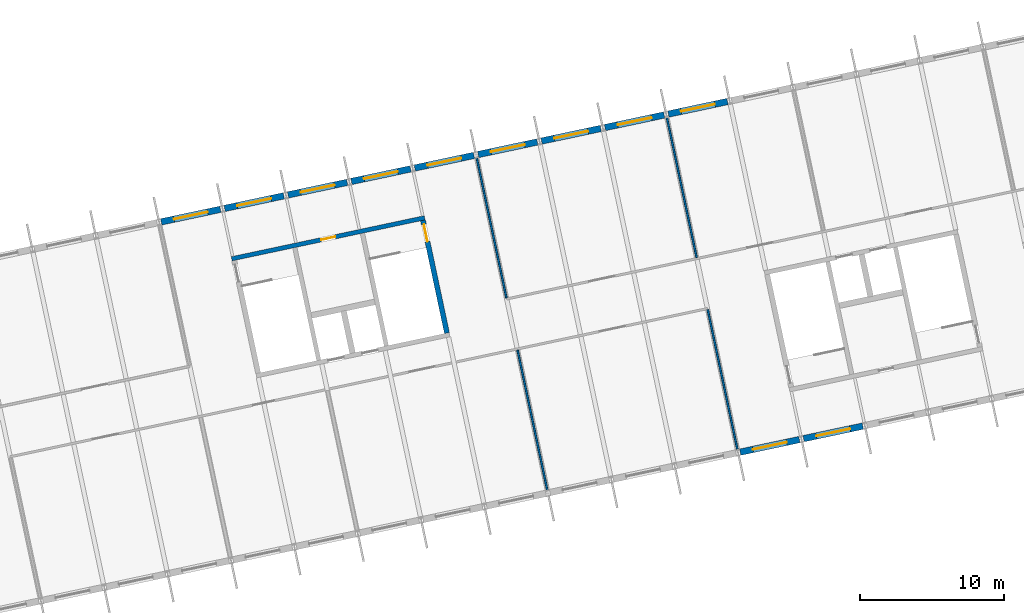
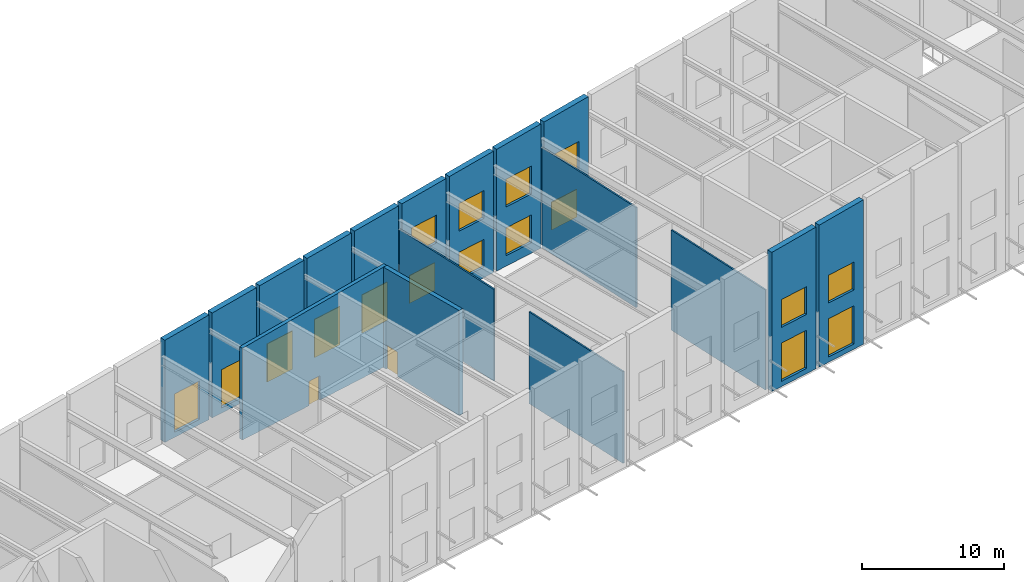
# One storey, part 43 of 69: 17 walls, 17 windows, 2 doors, 19 openings.
"""IFC4 building model written with IfcOpenShell, lengths in metres."""

from ifc_helpers import new_model, si_unit, direction, frame, frame_2d, origin, place, context, subcontext, project, spatial, polyline, rectangle, outline, extrude, material, layer, layer_set, type_object, element, fill, save


model = new_model("IFC4")

# Units and contexts
model_context = context("Model", 3, precision=1e-05, world=origin(), true_north=direction((0.0, 1.0)))
body_context = subcontext(model_context, "Body", "Model", "MODEL_VIEW")
ifc_project = project(units=[si_unit("LENGTHUNIT", "METRE"), si_unit("AREAUNIT", "SQUARE_METRE"), si_unit("VOLUMEUNIT", "CUBIC_METRE"), si_unit("PLANEANGLEUNIT", "RADIAN"), si_unit("MASSUNIT", "GRAM", prefix="KILO")], contexts=[model_context])

# Site, building, storey
site_placement = place(None, origin())
site = spatial("IfcSite", under=ifc_project, at=site_placement, CompositionType="ELEMENT")
building_placement = place(site_placement, origin())
building = spatial("IfcBuilding", under=site, at=building_placement, Name="Okhra Congress Centre", CompositionType="ELEMENT")
storey_placement = place(building_placement, frame((0.0, 0.0, 16.800048828125)))
storey = spatial("IfcBuildingStorey", under=building, at=storey_placement, Name="L03", CompositionType="ELEMENT", Elevation=16.800048828125)

# Wall, openings, windows
ifc_material_1 = material(Name="Insulated metal panel on steel stud (mineral wool, vapour barrier)", Category="steel")
ifc_layer_1 = layer(ifc_material_1, 0.449951171875)
ifc_layer_set_1 = layer_set([ifc_layer_1], Name="Insulated wall 450")
wall_type_1 = type_object("IfcWallType", Name="Insulated wall 450", PredefinedType="SOLIDWALL", material=ifc_layer_set_1)
wall_1_placement = place(storey_placement, frame((131.584228515625, 41.81005859375, 0.0), z_axis=(0.0, 0.0, 1.0), x_axis=(0.978146440129, 0.207917150959, 0.0)))
wall_1 = element("IfcWall", 1, at=wall_1_placement, inside=storey, type_object=wall_type_1, Name="External wall S17 L03", PredefinedType="SOLIDWALL", context=body_context, shape_type="SweptSolid", body=[
    extrude(outline(polyline([(0.0, 0.0), (4.2001953125, 0.0), (4.199951171875, 12.205078125), (0.0, 11.980224609375), (0.0, 0.0)])), frame((0.0, 0.22509765625, 0.0), z_axis=(0.0, -1.0, 0.0), x_axis=(1.0, 0.0, 0.0)), (0.0, 0.0, 1.0), 0.449951171875),
])
opening_1_placement = place(wall_1_placement, frame((0.89990234375, 0.0, 0.449951171875)))
opening_1 = element("IfcOpeningElement", 2, at=opening_1_placement, cuts=wall_1, Name="Opening WN21", PredefinedType="OPENING", context=body_context, shape_type="SweptSolid", body=[
    extrude(rectangle(XDim=2.39990234375, YDim=3.300048828125, at=frame_2d((1.199951171875, 1.64990234375))), frame((0.0, 0.23486328125, 0.0), z_axis=(0.0, -1.0, 0.0), x_axis=(1.0, 0.0, 0.0)), (0.0, 0.0, 1.0), 0.469970703125),
])
opening_2_placement = place(wall_1_placement, frame((0.89990234375, 0.0, 5.10009765625)))
opening_2 = element("IfcOpeningElement", 3, at=opening_2_placement, cuts=wall_1, Name="Opening WN22", PredefinedType="OPENING", context=body_context, shape_type="SweptSolid", body=[
    extrude(rectangle(XDim=2.39990234375, YDim=2.39990234375, at=frame_2d((1.199951171875, 1.199951171875))), frame((0.0, 0.23486328125, 0.0), z_axis=(0.0, -1.0, 0.0), x_axis=(1.0, 0.0, 0.0)), (0.0, 0.0, 1.0), 0.469970703125),
])
ifc_material_2 = material(Name="Thermally broken aluminium frame, triple glazing", Category="aluminium")
window_type_1 = type_object("IfcWindowType", Name="Fixed window 2400x2400", PartitioningType="SINGLE_PANEL", PredefinedType="WINDOW", material=ifc_material_2)
window_1_placement = place(opening_2_placement, origin())
window_1 = element("IfcWindow", 4, at=window_1_placement, inside=storey, type_object=window_type_1, Name="BX.WIN.L03.26", OverallHeight=2.39990234375, OverallWidth=2.39990234375, PartitioningType="SINGLE_PANEL", PredefinedType="WINDOW", context=body_context, shape_type="SweptSolid", body=[
    extrude(rectangle(XDim=2.39990234375, YDim=2.39990234375, at=frame_2d((1.199951171875, 1.199951171875))), frame((0.0, 0.030029296875, 0.0), z_axis=(0.0, -1.0, 0.0), x_axis=(1.0, 0.0, 0.0)), (0.0, 0.0, 1.0), 0.06005859375),
])
fill(opening_2, window_1)
window_type_2 = type_object("IfcWindowType", Name="Two-light window 2400x3300", PartitioningType="DOUBLE_PANEL_VERTICAL", PredefinedType="WINDOW", material=ifc_material_2)
window_2_placement = place(opening_1_placement, origin())
window_2 = element("IfcWindow", 5, at=window_2_placement, inside=storey, type_object=window_type_2, Name="BX.WIN.L03.25", OverallHeight=3.300048828125, OverallWidth=2.39990234375, PartitioningType="DOUBLE_PANEL_VERTICAL", PredefinedType="WINDOW", context=body_context, shape_type="SweptSolid", body=[
    extrude(rectangle(XDim=2.39990234375, YDim=3.300048828125, at=frame_2d((1.199951171875, 1.64990234375))), frame((0.0, 0.030029296875, 0.0), z_axis=(0.0, -1.0, 0.0), x_axis=(1.0, 0.0, 0.0)), (0.0, 0.0, 1.0), 0.06005859375),
])
fill(opening_1, window_2)

wall_2_placement = place(storey_placement, frame((135.986083984375, 42.74560546875, 0.0), z_axis=(0.0, 0.0, 1.0), x_axis=(0.978143927149, 0.207928972925, 0.0)))
wall_2 = element("IfcWall", 6, at=wall_2_placement, inside=storey, type_object=wall_type_1, Name="External wall S18 L03", PredefinedType="SOLIDWALL", context=body_context, shape_type="SweptSolid", body=[
    extrude(outline(polyline([(0.0, 0.0), (4.199951171875, 0.0), (4.199951171875, 12.44580078125), (0.0, 12.22119140625), (0.0, 0.0)])), frame((0.0, 0.22509765625, 0.0), z_axis=(0.0, -1.0, 0.0), x_axis=(1.0, 0.0, 0.0)), (0.0, 0.0, 1.0), 0.449951171875),
])
opening_3_placement = place(wall_2_placement, frame((0.89990234375, 0.0, 0.449951171875)))
opening_3 = element("IfcOpeningElement", 7, at=opening_3_placement, cuts=wall_2, Name="Opening WN21", PredefinedType="OPENING", context=body_context, shape_type="SweptSolid", body=[
    extrude(rectangle(XDim=2.39990234375, YDim=3.300048828125, at=frame_2d((1.199951171875, 1.64990234375))), frame((0.0, 0.23486328125, 0.0), z_axis=(0.0, -1.0, 0.0), x_axis=(1.0, 0.0, 0.0)), (0.0, 0.0, 1.0), 0.469970703125),
])
opening_4_placement = place(wall_2_placement, frame((0.89990234375, 0.0, 5.10009765625)))
opening_4 = element("IfcOpeningElement", 8, at=opening_4_placement, cuts=wall_2, Name="Opening WN22", PredefinedType="OPENING", context=body_context, shape_type="SweptSolid", body=[
    extrude(rectangle(XDim=2.39990234375, YDim=2.39990234375, at=frame_2d((1.199951171875, 1.199951171875))), frame((0.0, 0.23486328125, 0.0), z_axis=(0.0, -1.0, 0.0), x_axis=(1.0, 0.0, 0.0)), (0.0, 0.0, 1.0), 0.469970703125),
])
window_3_placement = place(opening_4_placement, origin())
window_3 = element("IfcWindow", 9, at=window_3_placement, inside=storey, type_object=window_type_1, Name="BX.WIN.L03.28", OverallHeight=2.39990234375, OverallWidth=2.39990234375, PartitioningType="SINGLE_PANEL", PredefinedType="WINDOW", context=body_context, shape_type="SweptSolid", body=[
    extrude(rectangle(XDim=2.39990234375, YDim=2.39990234375, at=frame_2d((1.199951171875, 1.199951171875))), frame((0.0, 0.030029296875, 0.0), z_axis=(0.0, -1.0, 0.0), x_axis=(1.0, 0.0, 0.0)), (0.0, 0.0, 1.0), 0.06005859375),
])
fill(opening_4, window_3)
window_4_placement = place(opening_3_placement, origin())
window_4 = element("IfcWindow", 10, at=window_4_placement, inside=storey, type_object=window_type_2, Name="BX.WIN.L03.27", OverallHeight=3.300048828125, OverallWidth=2.39990234375, PartitioningType="DOUBLE_PANEL_VERTICAL", PredefinedType="WINDOW", context=body_context, shape_type="SweptSolid", body=[
    extrude(rectangle(XDim=2.39990234375, YDim=3.300048828125, at=frame_2d((1.199951171875, 1.64990234375))), frame((0.0, 0.030029296875, 0.0), z_axis=(0.0, -1.0, 0.0), x_axis=(1.0, 0.0, 0.0)), (0.0, 0.0, 1.0), 0.06005859375),
])
fill(opening_3, window_4)

# Wall, opening, window
wall_3_placement = place(storey_placement, frame((91.381103515625, 57.80078125, 0.0), z_axis=(0.0, 0.0, 1.0), x_axis=(0.978143927149, 0.207928972925, 0.0)))
wall_3 = element("IfcWall", 11, at=wall_3_placement, inside=storey, type_object=wall_type_1, Name="External wall N9 L03", PredefinedType="SOLIDWALL", context=body_context, shape_type="SweptSolid", body=[
    extrude(outline(polyline([(0.0, 0.0), (4.199951171875, 0.0), (4.199951171875, 9.02099609375), (0.0, 8.79638671875), (0.0, 0.0)])), frame((0.0, 0.22509765625, 0.0), z_axis=(0.0, -1.0, 0.0), x_axis=(1.0, 0.0, 0.0)), (0.0, 0.0, 1.0), 0.449951171875),
])
opening_5_placement = place(wall_3_placement, frame((0.89990234375, 0.0, 0.449951171875)))
opening_5 = element("IfcOpeningElement", 12, at=opening_5_placement, cuts=wall_3, Name="Opening WN21", PredefinedType="OPENING", context=body_context, shape_type="SweptSolid", body=[
    extrude(rectangle(XDim=2.39990234375, YDim=3.300048828125, at=frame_2d((1.199951171875, 1.64990234375))), frame((0.0, 0.23486328125, 0.0), z_axis=(0.0, -1.0, 0.0), x_axis=(1.0, 0.0, 0.0)), (0.0, 0.0, 1.0), 0.469970703125),
])
window_5_placement = place(opening_5_placement, origin())
window_5 = element("IfcWindow", 13, at=window_5_placement, inside=storey, type_object=window_type_2, Name="BX.WIN.L03.84", OverallHeight=3.300048828125, OverallWidth=2.39990234375, PartitioningType="DOUBLE_PANEL_VERTICAL", PredefinedType="WINDOW", context=body_context, shape_type="SweptSolid", body=[
    extrude(rectangle(XDim=2.39990234375, YDim=3.300048828125, at=frame_2d((1.199951171875, 1.64990234375))), frame((0.0, 0.030029296875, 0.0), z_axis=(0.0, -1.0, 0.0), x_axis=(1.0, 0.0, 0.0)), (0.0, 0.0, 1.0), 0.06005859375),
])
fill(opening_5, window_5)

wall_4_placement = place(storey_placement, frame((95.78271484375, 58.736328125, 0.0), z_axis=(0.0, 0.0, 1.0), x_axis=(0.978146440129, 0.207917150959, 0.0)))
wall_4 = element("IfcWall", 14, at=wall_4_placement, inside=storey, type_object=wall_type_1, Name="External wall N10 L03", PredefinedType="SOLIDWALL", context=body_context, shape_type="SweptSolid", body=[
    extrude(outline(polyline([(0.0, 0.0), (4.2001953125, 0.0), (4.199951171875, 9.261962890625), (0.0, 9.037109375), (0.0, 0.0)])), frame((0.0, 0.22509765625, 0.0), z_axis=(0.0, -1.0, 0.0), x_axis=(1.0, 0.0, 0.0)), (0.0, 0.0, 1.0), 0.449951171875),
])
opening_6_placement = place(wall_4_placement, frame((0.89990234375, 0.0, 0.449951171875)))
opening_6 = element("IfcOpeningElement", 15, at=opening_6_placement, cuts=wall_4, Name="Opening WN21", PredefinedType="OPENING", context=body_context, shape_type="SweptSolid", body=[
    extrude(rectangle(XDim=2.39990234375, YDim=3.300048828125, at=frame_2d((1.199951171875, 1.64990234375))), frame((0.0, 0.23486328125, 0.0), z_axis=(0.0, -1.0, 0.0), x_axis=(1.0, 0.0, 0.0)), (0.0, 0.0, 1.0), 0.469970703125),
])
window_6_placement = place(opening_6_placement, origin())
window_6 = element("IfcWindow", 16, at=window_6_placement, inside=storey, type_object=window_type_2, Name="BX.WIN.L03.85", OverallHeight=3.300048828125, OverallWidth=2.39990234375, PartitioningType="DOUBLE_PANEL_VERTICAL", PredefinedType="WINDOW", context=body_context, shape_type="SweptSolid", body=[
    extrude(rectangle(XDim=2.39990234375, YDim=3.300048828125, at=frame_2d((1.199951171875, 1.64990234375))), frame((0.0, 0.030029296875, 0.0), z_axis=(0.0, -1.0, 0.0), x_axis=(1.0, 0.0, 0.0)), (0.0, 0.0, 1.0), 0.06005859375),
])
fill(opening_6, window_6)

wall_5_placement = place(storey_placement, frame((100.1845703125, 59.671875, 0.0), z_axis=(0.0, 0.0, 1.0), x_axis=(0.978143927149, 0.207928972925, 0.0)))
wall_5 = element("IfcWall", 17, at=wall_5_placement, inside=storey, type_object=wall_type_1, Name="External wall N11 L03", PredefinedType="SOLIDWALL", context=body_context, shape_type="SweptSolid", body=[
    extrude(outline(polyline([(0.0, 0.0), (4.199951171875, 0.0), (4.199951171875, 9.502685546875), (0.0, 9.27783203125), (0.0, 0.0)])), frame((0.0, 0.22509765625, 0.0), z_axis=(0.0, -1.0, 0.0), x_axis=(1.0, 0.0, 0.0)), (0.0, 0.0, 1.0), 0.449951171875),
])
opening_7_placement = place(wall_5_placement, frame((0.89990234375, 0.0, 0.449951171875)))
opening_7 = element("IfcOpeningElement", 18, at=opening_7_placement, cuts=wall_5, Name="Opening WN21", PredefinedType="OPENING", context=body_context, shape_type="SweptSolid", body=[
    extrude(rectangle(XDim=2.39990234375, YDim=3.300048828125, at=frame_2d((1.199951171875, 1.64990234375))), frame((0.0, 0.23486328125, 0.0), z_axis=(0.0, -1.0, 0.0), x_axis=(1.0, 0.0, 0.0)), (0.0, 0.0, 1.0), 0.469970703125),
])
window_7_placement = place(opening_7_placement, origin())
window_7 = element("IfcWindow", 19, at=window_7_placement, inside=storey, type_object=window_type_2, Name="BX.WIN.L03.86", OverallHeight=3.300048828125, OverallWidth=2.39990234375, PartitioningType="DOUBLE_PANEL_VERTICAL", PredefinedType="WINDOW", context=body_context, shape_type="SweptSolid", body=[
    extrude(rectangle(XDim=2.39990234375, YDim=3.300048828125, at=frame_2d((1.199951171875, 1.64990234375))), frame((0.0, 0.030029296875, 0.0), z_axis=(0.0, -1.0, 0.0), x_axis=(1.0, 0.0, 0.0)), (0.0, 0.0, 1.0), 0.06005859375),
])
fill(opening_7, window_7)

wall_6_placement = place(storey_placement, frame((104.586181640625, 60.607666015625, 0.0), z_axis=(0.0, 0.0, 1.0), x_axis=(0.978155748334, 0.207873355681, 0.0)))
wall_6 = element("IfcWall", 20, at=wall_6_placement, inside=storey, type_object=wall_type_1, Name="External wall N12 L03", PredefinedType="SOLIDWALL", context=body_context, shape_type="SweptSolid", body=[
    extrude(outline(polyline([(0.0, 0.0), (4.199951171875, 0.0), (4.199951171875, 9.743408203125), (0.0, 9.518798828125), (0.0, 0.0)])), frame((0.0, 0.22509765625, 0.0), z_axis=(0.0, -1.0, 0.0), x_axis=(1.0, 0.0, 0.0)), (0.0, 0.0, 1.0), 0.449951171875),
])
opening_8_placement = place(wall_6_placement, frame((0.89990234375, 0.0, 0.449951171875)))
opening_8 = element("IfcOpeningElement", 21, at=opening_8_placement, cuts=wall_6, Name="Opening WN21", PredefinedType="OPENING", context=body_context, shape_type="SweptSolid", body=[
    extrude(rectangle(XDim=2.39990234375, YDim=3.300048828125, at=frame_2d((1.199951171875, 1.64990234375))), frame((0.0, 0.23486328125, 0.0), z_axis=(0.0, -1.0, 0.0), x_axis=(1.0, 0.0, 0.0)), (0.0, 0.0, 1.0), 0.469970703125),
])
window_8_placement = place(opening_8_placement, origin())
window_8 = element("IfcWindow", 22, at=window_8_placement, inside=storey, type_object=window_type_2, Name="BX.WIN.L03.87", OverallHeight=3.300048828125, OverallWidth=2.39990234375, PartitioningType="DOUBLE_PANEL_VERTICAL", PredefinedType="WINDOW", context=body_context, shape_type="SweptSolid", body=[
    extrude(rectangle(XDim=2.39990234375, YDim=3.300048828125, at=frame_2d((1.199951171875, 1.64990234375))), frame((0.0, 0.030029296875, 0.0), z_axis=(0.0, -1.0, 0.0), x_axis=(1.0, 0.0, 0.0)), (0.0, 0.0, 1.0), 0.06005859375),
])
fill(opening_8, window_8)

wall_7_placement = place(storey_placement, frame((108.98779296875, 61.543212890625, 0.0), z_axis=(0.0, 0.0, 1.0), x_axis=(0.978143927149, 0.207928972925, 0.0)))
wall_7 = element("IfcWall", 23, at=wall_7_placement, inside=storey, type_object=wall_type_1, Name="External wall N13 L03", PredefinedType="SOLIDWALL", context=body_context, shape_type="SweptSolid", body=[
    extrude(outline(polyline([(0.0, 0.0), (4.199951171875, 0.0), (4.199951171875, 9.984130859375), (0.0, 9.759521484375), (0.0, 0.0)])), frame((0.0, 0.22509765625, 0.0), z_axis=(0.0, -1.0, 0.0), x_axis=(1.0, 0.0, 0.0)), (0.0, 0.0, 1.0), 0.449951171875),
])
opening_9_placement = place(wall_7_placement, frame((0.89990234375, 0.0, 0.449951171875)))
opening_9 = element("IfcOpeningElement", 24, at=opening_9_placement, cuts=wall_7, Name="Opening WN21", PredefinedType="OPENING", context=body_context, shape_type="SweptSolid", body=[
    extrude(rectangle(XDim=2.39990234375, YDim=3.300048828125, at=frame_2d((1.199951171875, 1.64990234375))), frame((0.0, 0.23486328125, 0.0), z_axis=(0.0, -1.0, 0.0), x_axis=(1.0, 0.0, 0.0)), (0.0, 0.0, 1.0), 0.469970703125),
])
window_9_placement = place(opening_9_placement, origin())
window_9 = element("IfcWindow", 25, at=window_9_placement, inside=storey, type_object=window_type_2, Name="BX.WIN.L03.88", OverallHeight=3.300048828125, OverallWidth=2.39990234375, PartitioningType="DOUBLE_PANEL_VERTICAL", PredefinedType="WINDOW", context=body_context, shape_type="SweptSolid", body=[
    extrude(rectangle(XDim=2.39990234375, YDim=3.300048828125, at=frame_2d((1.199951171875, 1.64990234375))), frame((0.0, 0.030029296875, 0.0), z_axis=(0.0, -1.0, 0.0), x_axis=(1.0, 0.0, 0.0)), (0.0, 0.0, 1.0), 0.06005859375),
])
fill(opening_9, window_9)

# Wall, openings, windows
wall_8_placement = place(storey_placement, frame((113.389404296875, 62.478759765625, 0.0), z_axis=(0.0, 0.0, 1.0), x_axis=(0.978146440129, 0.207917150959, 0.0)))
wall_8 = element("IfcWall", 26, at=wall_8_placement, inside=storey, type_object=wall_type_1, Name="External wall N14 L03", PredefinedType="SOLIDWALL", context=body_context, shape_type="SweptSolid", body=[
    extrude(outline(polyline([(0.0, 0.0), (4.2001953125, 0.0), (4.199951171875, 10.224853515625), (0.0, 10.000244140625), (0.0, 0.0)])), frame((0.0, 0.22509765625, 0.0), z_axis=(0.0, -1.0, 0.0), x_axis=(1.0, 0.0, 0.0)), (0.0, 0.0, 1.0), 0.449951171875),
])
opening_10_placement = place(wall_8_placement, frame((0.89990234375, 0.0, 0.89990234375)))
opening_10 = element("IfcOpeningElement", 27, at=opening_10_placement, cuts=wall_8, Name="Opening WN22", PredefinedType="OPENING", context=body_context, shape_type="SweptSolid", body=[
    extrude(rectangle(XDim=2.39990234375, YDim=2.39990234375, at=frame_2d((1.199951171875, 1.199951171875))), frame((0.0, 0.23486328125, 0.0), z_axis=(0.0, -1.0, 0.0), x_axis=(1.0, 0.0, 0.0)), (0.0, 0.0, 1.0), 0.469970703125),
])
opening_11_placement = place(wall_8_placement, frame((0.89990234375, 0.0, 5.10009765625)))
opening_11 = element("IfcOpeningElement", 28, at=opening_11_placement, cuts=wall_8, Name="Opening WN22", PredefinedType="OPENING", context=body_context, shape_type="SweptSolid", body=[
    extrude(rectangle(XDim=2.39990234375, YDim=2.39990234375, at=frame_2d((1.199951171875, 1.199951171875))), frame((0.0, 0.23486328125, 0.0), z_axis=(0.0, -1.0, 0.0), x_axis=(1.0, 0.0, 0.0)), (0.0, 0.0, 1.0), 0.469970703125),
])
window_10_placement = place(opening_10_placement, origin())
window_10 = element("IfcWindow", 29, at=window_10_placement, inside=storey, type_object=window_type_1, Name="BX.WIN.L03.89", OverallHeight=2.39990234375, OverallWidth=2.39990234375, PartitioningType="SINGLE_PANEL", PredefinedType="WINDOW", context=body_context, shape_type="SweptSolid", body=[
    extrude(rectangle(XDim=2.39990234375, YDim=2.39990234375, at=frame_2d((1.199951171875, 1.199951171875))), frame((0.0, 0.030029296875, 0.0), z_axis=(0.0, -1.0, 0.0), x_axis=(1.0, 0.0, 0.0)), (0.0, 0.0, 1.0), 0.06005859375),
])
fill(opening_10, window_10)
window_11_placement = place(opening_11_placement, origin())
window_11 = element("IfcWindow", 30, at=window_11_placement, inside=storey, type_object=window_type_1, Name="BX.WIN.L03.90", OverallHeight=2.39990234375, OverallWidth=2.39990234375, PartitioningType="SINGLE_PANEL", PredefinedType="WINDOW", context=body_context, shape_type="SweptSolid", body=[
    extrude(rectangle(XDim=2.39990234375, YDim=2.39990234375, at=frame_2d((1.199951171875, 1.199951171875))), frame((0.0, 0.030029296875, 0.0), z_axis=(0.0, -1.0, 0.0), x_axis=(1.0, 0.0, 0.0)), (0.0, 0.0, 1.0), 0.06005859375),
])
fill(opening_11, window_11)

wall_9_placement = place(storey_placement, frame((117.791015625, 63.414306640625, 0.0), z_axis=(0.0, 0.0, 1.0), x_axis=(0.978146440129, 0.207917150959, 0.0)))
wall_9 = element("IfcWall", 31, at=wall_9_placement, inside=storey, type_object=wall_type_1, Name="External wall N15 L03", PredefinedType="SOLIDWALL", context=body_context, shape_type="SweptSolid", body=[
    extrude(outline(polyline([(0.0, 0.0), (4.2001953125, 0.0), (4.199951171875, 10.4658203125), (0.0, 10.240966796875), (0.0, 0.0)])), frame((0.0, 0.22509765625, 0.0), z_axis=(0.0, -1.0, 0.0), x_axis=(1.0, 0.0, 0.0)), (0.0, 0.0, 1.0), 0.449951171875),
])
opening_12_placement = place(wall_9_placement, frame((0.89990234375, 0.0, 0.89990234375)))
opening_12 = element("IfcOpeningElement", 32, at=opening_12_placement, cuts=wall_9, Name="Opening WN22", PredefinedType="OPENING", context=body_context, shape_type="SweptSolid", body=[
    extrude(rectangle(XDim=2.39990234375, YDim=2.39990234375, at=frame_2d((1.199951171875, 1.199951171875))), frame((0.0, 0.23486328125, 0.0), z_axis=(0.0, -1.0, 0.0), x_axis=(1.0, 0.0, 0.0)), (0.0, 0.0, 1.0), 0.469970703125),
])
opening_13_placement = place(wall_9_placement, frame((0.89990234375, 0.0, 5.10009765625)))
opening_13 = element("IfcOpeningElement", 33, at=opening_13_placement, cuts=wall_9, Name="Opening WN22", PredefinedType="OPENING", context=body_context, shape_type="SweptSolid", body=[
    extrude(rectangle(XDim=2.39990234375, YDim=2.39990234375, at=frame_2d((1.199951171875, 1.199951171875))), frame((0.0, 0.23486328125, 0.0), z_axis=(0.0, -1.0, 0.0), x_axis=(1.0, 0.0, 0.0)), (0.0, 0.0, 1.0), 0.469970703125),
])
window_12_placement = place(opening_12_placement, origin())
window_12 = element("IfcWindow", 34, at=window_12_placement, inside=storey, type_object=window_type_1, Name="BX.WIN.L03.91", OverallHeight=2.39990234375, OverallWidth=2.39990234375, PartitioningType="SINGLE_PANEL", PredefinedType="WINDOW", context=body_context, shape_type="SweptSolid", body=[
    extrude(rectangle(XDim=2.39990234375, YDim=2.39990234375, at=frame_2d((1.199951171875, 1.199951171875))), frame((0.0, 0.030029296875, 0.0), z_axis=(0.0, -1.0, 0.0), x_axis=(1.0, 0.0, 0.0)), (0.0, 0.0, 1.0), 0.06005859375),
])
fill(opening_12, window_12)
window_13_placement = place(opening_13_placement, origin())
window_13 = element("IfcWindow", 35, at=window_13_placement, inside=storey, type_object=window_type_1, Name="BX.WIN.L03.92", OverallHeight=2.39990234375, OverallWidth=2.39990234375, PartitioningType="SINGLE_PANEL", PredefinedType="WINDOW", context=body_context, shape_type="SweptSolid", body=[
    extrude(rectangle(XDim=2.39990234375, YDim=2.39990234375, at=frame_2d((1.199951171875, 1.199951171875))), frame((0.0, 0.030029296875, 0.0), z_axis=(0.0, -1.0, 0.0), x_axis=(1.0, 0.0, 0.0)), (0.0, 0.0, 1.0), 0.06005859375),
])
fill(opening_13, window_13)

wall_10_placement = place(storey_placement, frame((122.19287109375, 64.35009765625, 0.0), z_axis=(0.0, 0.0, 1.0), x_axis=(0.978155748334, 0.207873355681, 0.0)))
wall_10 = element("IfcWall", 36, at=wall_10_placement, inside=storey, type_object=wall_type_1, Name="External wall N16 L03", PredefinedType="SOLIDWALL", context=body_context, shape_type="SweptSolid", body=[
    extrude(outline(polyline([(0.0, 0.0), (4.199951171875, 0.0), (4.199951171875, 10.70654296875), (0.0, 10.481689453125), (0.0, 0.0)])), frame((0.0, 0.22509765625, 0.0), z_axis=(0.0, -1.0, 0.0), x_axis=(1.0, 0.0, 0.0)), (0.0, 0.0, 1.0), 0.449951171875),
])
opening_14_placement = place(wall_10_placement, frame((0.89990234375, 0.0, 0.89990234375)))
opening_14 = element("IfcOpeningElement", 37, at=opening_14_placement, cuts=wall_10, Name="Opening WN22", PredefinedType="OPENING", context=body_context, shape_type="SweptSolid", body=[
    extrude(rectangle(XDim=2.39990234375, YDim=2.39990234375, at=frame_2d((1.199951171875, 1.199951171875))), frame((0.0, 0.23486328125, 0.0), z_axis=(0.0, -1.0, 0.0), x_axis=(1.0, 0.0, 0.0)), (0.0, 0.0, 1.0), 0.469970703125),
])
opening_15_placement = place(wall_10_placement, frame((0.89990234375, 0.0, 5.10009765625)))
opening_15 = element("IfcOpeningElement", 38, at=opening_15_placement, cuts=wall_10, Name="Opening WN22", PredefinedType="OPENING", context=body_context, shape_type="SweptSolid", body=[
    extrude(rectangle(XDim=2.39990234375, YDim=2.39990234375, at=frame_2d((1.199951171875, 1.199951171875))), frame((0.0, 0.23486328125, 0.0), z_axis=(0.0, -1.0, 0.0), x_axis=(1.0, 0.0, 0.0)), (0.0, 0.0, 1.0), 0.469970703125),
])
window_14_placement = place(opening_14_placement, origin())
window_14 = element("IfcWindow", 39, at=window_14_placement, inside=storey, type_object=window_type_1, Name="BX.WIN.L03.93", OverallHeight=2.39990234375, OverallWidth=2.39990234375, PartitioningType="SINGLE_PANEL", PredefinedType="WINDOW", context=body_context, shape_type="SweptSolid", body=[
    extrude(rectangle(XDim=2.39990234375, YDim=2.39990234375, at=frame_2d((1.199951171875, 1.199951171875))), frame((0.0, 0.030029296875, 0.0), z_axis=(0.0, -1.0, 0.0), x_axis=(1.0, 0.0, 0.0)), (0.0, 0.0, 1.0), 0.06005859375),
])
fill(opening_14, window_14)
window_15_placement = place(opening_15_placement, origin())
window_15 = element("IfcWindow", 40, at=window_15_placement, inside=storey, type_object=window_type_1, Name="BX.WIN.L03.94", OverallHeight=2.39990234375, OverallWidth=2.39990234375, PartitioningType="SINGLE_PANEL", PredefinedType="WINDOW", context=body_context, shape_type="SweptSolid", body=[
    extrude(rectangle(XDim=2.39990234375, YDim=2.39990234375, at=frame_2d((1.199951171875, 1.199951171875))), frame((0.0, 0.030029296875, 0.0), z_axis=(0.0, -1.0, 0.0), x_axis=(1.0, 0.0, 0.0)), (0.0, 0.0, 1.0), 0.06005859375),
])
fill(opening_15, window_15)

wall_11_placement = place(storey_placement, frame((126.594482421875, 65.28564453125, 0.0), z_axis=(0.0, 0.0, 1.0), x_axis=(0.978143927149, 0.207928972925, 0.0)))
wall_11 = element("IfcWall", 41, at=wall_11_placement, inside=storey, type_object=wall_type_1, Name="External wall N17 L03", PredefinedType="SOLIDWALL", context=body_context, shape_type="SweptSolid", body=[
    extrude(outline(polyline([(0.0, 0.0), (4.199951171875, 0.0), (4.199951171875, 10.947265625), (0.0, 10.72265625), (0.0, 0.0)])), frame((0.0, 0.22509765625, 0.0), z_axis=(0.0, -1.0, 0.0), x_axis=(1.0, 0.0, 0.0)), (0.0, 0.0, 1.0), 0.449951171875),
])
opening_16_placement = place(wall_11_placement, frame((0.89990234375, 0.0, 0.89990234375)))
opening_16 = element("IfcOpeningElement", 42, at=opening_16_placement, cuts=wall_11, Name="Opening WN22", PredefinedType="OPENING", context=body_context, shape_type="SweptSolid", body=[
    extrude(rectangle(XDim=2.39990234375, YDim=2.39990234375, at=frame_2d((1.199951171875, 1.199951171875))), frame((0.0, 0.23486328125, 0.0), z_axis=(0.0, -1.0, 0.0), x_axis=(1.0, 0.0, 0.0)), (0.0, 0.0, 1.0), 0.469970703125),
])
opening_17_placement = place(wall_11_placement, frame((0.89990234375, 0.0, 5.10009765625)))
opening_17 = element("IfcOpeningElement", 43, at=opening_17_placement, cuts=wall_11, Name="Opening WN22", PredefinedType="OPENING", context=body_context, shape_type="SweptSolid", body=[
    extrude(rectangle(XDim=2.39990234375, YDim=2.39990234375, at=frame_2d((1.199951171875, 1.199951171875))), frame((0.0, 0.23486328125, 0.0), z_axis=(0.0, -1.0, 0.0), x_axis=(1.0, 0.0, 0.0)), (0.0, 0.0, 1.0), 0.469970703125),
])
window_16_placement = place(opening_16_placement, origin())
window_16 = element("IfcWindow", 44, at=window_16_placement, inside=storey, type_object=window_type_1, Name="BX.WIN.L03.95", OverallHeight=2.39990234375, OverallWidth=2.39990234375, PartitioningType="SINGLE_PANEL", PredefinedType="WINDOW", context=body_context, shape_type="SweptSolid", body=[
    extrude(rectangle(XDim=2.39990234375, YDim=2.39990234375, at=frame_2d((1.199951171875, 1.199951171875))), frame((0.0, 0.030029296875, 0.0), z_axis=(0.0, -1.0, 0.0), x_axis=(1.0, 0.0, 0.0)), (0.0, 0.0, 1.0), 0.06005859375),
])
fill(opening_16, window_16)
window_17_placement = place(opening_17_placement, origin())
window_17 = element("IfcWindow", 45, at=window_17_placement, inside=storey, type_object=window_type_1, Name="BX.WIN.L03.96", OverallHeight=2.39990234375, OverallWidth=2.39990234375, PartitioningType="SINGLE_PANEL", PredefinedType="WINDOW", context=body_context, shape_type="SweptSolid", body=[
    extrude(rectangle(XDim=2.39990234375, YDim=2.39990234375, at=frame_2d((1.199951171875, 1.199951171875))), frame((0.0, 0.030029296875, 0.0), z_axis=(0.0, -1.0, 0.0), x_axis=(1.0, 0.0, 0.0)), (0.0, 0.0, 1.0), 0.06005859375),
])
fill(opening_17, window_17)

# Walls
ifc_material_3 = material(Name="Gypsum board on steel studs", Category="steel")
ifc_layer_2 = layer(ifc_material_3, 0.125)
ifc_layer_set_2 = layer_set([ifc_layer_2], Name="Partition 125")
wall_type_2 = type_object("IfcWallType", Name="Partition 125", PredefinedType="PARTITIONING", material=ifc_layer_set_2)
wall_12_placement = place(storey_placement, frame((118.185791015625, 39.192138671875, 0.0), z_axis=(0.0, 0.0, 1.0), x_axis=(-0.207904355568, 0.978149159861, 0.0)))
element("IfcWall", 46, at=wall_12_placement, inside=storey, type_object=wall_type_2, Name="Partition S L03", PredefinedType="PARTITIONING", context=body_context, shape_type="SweptSolid", body=[
    extrude(outline(polyline([(0.0, 0.0), (9.925048828125, 0.0), (9.925048828125, 7.899169921875), (0.0, 7.899169921875), (0.0, 0.0)])), frame((0.0, 0.0625, 0.0), z_axis=(0.0, -1.0, 0.0), x_axis=(1.0, 0.0, 0.0)), (0.0, 0.0, 1.0), 0.125),
])
wall_13_placement = place(storey_placement, frame((131.390869140625, 41.9990234375, 0.0), z_axis=(0.0, 0.0, 1.0), x_axis=(-0.20790935802, 0.978148096582, 0.0)))
element("IfcWall", 47, at=wall_13_placement, inside=storey, type_object=wall_type_2, Name="Partition S L03", PredefinedType="PARTITIONING", context=body_context, shape_type="SweptSolid", body=[
    extrude(outline(polyline([(0.0, 0.0), (9.9248046875, 0.0), (9.925048828125, 8.62158203125), (0.0, 8.62158203125), (0.0, 0.0)])), frame((0.0, 0.0625, 0.0), z_axis=(0.0, -1.0, 0.0), x_axis=(1.0, 0.0, 0.0)), (0.0, 0.0, 1.0), 0.125),
])
wall_14_placement = place(storey_placement, frame((113.28955078125, 62.2275390625, 0.0), z_axis=(0.0, 0.0, 1.0), x_axis=(0.20790935802, -0.978148096582, 0.0)))
element("IfcWall", 48, at=wall_14_placement, inside=storey, type_object=wall_type_2, Name="Partition N L03", PredefinedType="PARTITIONING", context=body_context, shape_type="SweptSolid", body=[
    extrude(outline(polyline([(0.0, 0.0), (9.9248046875, 0.0), (9.925048828125, 7.899169921875), (0.0, 7.899169921875), (0.0, 0.0)])), frame((0.0, 0.0625, 0.0), z_axis=(0.0, -1.0, 0.0), x_axis=(1.0, 0.0, 0.0)), (0.0, 0.0, 1.0), 0.125),
])
wall_15_placement = place(storey_placement, frame((126.49462890625, 65.034423828125, 0.0), z_axis=(0.0, 0.0, 1.0), x_axis=(0.207904355568, -0.978149159861, 0.0)))
element("IfcWall", 49, at=wall_15_placement, inside=storey, type_object=wall_type_2, Name="Partition N L03", PredefinedType="PARTITIONING", context=body_context, shape_type="SweptSolid", body=[
    extrude(outline(polyline([(0.0, 0.0), (9.925048828125, 0.0), (9.925048828125, 8.62158203125), (0.0, 8.62158203125), (0.0, 0.0)])), frame((0.0, 0.0625, 0.0), z_axis=(0.0, -1.0, 0.0), x_axis=(1.0, 0.0, 0.0)), (0.0, 0.0, 1.0), 0.125),
])

# Wall, opening, door
ifc_material_4 = material(Name="Concrete C35/45", Category="concrete")
ifc_layer_3 = layer(ifc_material_4, 0.300048828125)
ifc_layer_set_3 = layer_set([ifc_layer_3], Name="RC core wall 300 REI 120 C35/45")
wall_type_3 = type_object("IfcWallType", Name="RC core wall 300 REI 120 C35/45", PredefinedType="SHEAR", material=ifc_layer_set_3)
wall_16_placement = place(storey_placement, frame((96.271240234375, 55.236328125, 0.0), z_axis=(0.0, 0.0, 1.0), x_axis=(0.978147662755, 0.20791139903, 0.0)))
wall_16 = element("IfcWall", 50, at=wall_16_placement, inside=storey, type_object=wall_type_3, Name="BX.WALL.L03.K2S", PredefinedType="SHEAR", context=body_context, shape_type="SweptSolid", body=[
    extrude(outline(polyline([(0.0, 0.0), (13.699951171875, 0.0), (13.699951171875, 8.6416015625), (0.0, 7.908447265625), (0.0, 0.0)])), frame((0.0, 0.14990234375, 0.0), z_axis=(0.0, -1.0, 0.0), x_axis=(1.0, 0.0, 0.0)), (0.0, 0.0, 1.0), 0.300048828125),
])
opening_18_placement = place(wall_16_placement, frame((6.35009765625, 0.0, 0.0)))
opening_18 = element("IfcOpeningElement", 51, at=opening_18_placement, cuts=wall_16, Name="Opening L03-028", PredefinedType="OPENING", context=body_context, shape_type="SweptSolid", body=[
    extrude(rectangle(XDim=1.0, YDim=2.10009765625, at=frame_2d((0.5, 1.050048828125))), frame((0.0, 0.159912109375, 0.0), z_axis=(0.0, -1.0, 0.0), x_axis=(1.0, 0.0, 0.0)), (0.0, 0.0, 1.0), 0.320068359375),
])
ifc_material_5 = material(Name="Steel fire door leaf in steel frame, intumescent seals", Category="steel")
door_type_1 = type_object("IfcDoorType", Name="Steel fire door 1000x2100 EI 30", OperationType="NOTDEFINED", PredefinedType="DOOR", material=ifc_material_5)
door_1_placement = place(opening_18_placement, frame((1.0, 0.0, 0.0), z_axis=(0.0, 0.0, 1.0), x_axis=(-1.0, 0.0, 0.0)))
door_1 = element("IfcDoor", 52, at=door_1_placement, inside=storey, type_object=door_type_1, Name="Door L03-028", OperationType="SINGLE_SWING_LEFT", OverallHeight=2.10009765625, OverallWidth=1.0, PredefinedType="DOOR", context=body_context, shape_type="SweptSolid", body=[
    extrude(rectangle(XDim=1.0, YDim=2.10009765625, at=frame_2d((0.5, 1.050048828125))), frame((0.0, 0.02490234375, 0.0), z_axis=(0.0, -1.0, 0.0), x_axis=(1.0, 0.0, 0.0)), (0.0, 0.0, 1.0), 0.050048828125),
])
fill(opening_18, door_1)

ifc_material_6 = material(Name="Concrete C30/37", Category="concrete")
ifc_layer_4 = layer(ifc_material_6, 0.35009765625)
ifc_layer_set_4 = layer_set([ifc_layer_4], Name="RC wall 350 REI 120 C30/37")
wall_type_4 = type_object("IfcWallType", Name="RC wall 350 REI 120 C30/37", PredefinedType="SOLIDWALL", material=ifc_layer_set_4)
wall_17_placement = place(storey_placement, frame((109.55615234375, 57.906982421875, 0.0), z_axis=(0.0, 0.0, 1.0), x_axis=(0.207915693476, -0.978146749934, 0.0)))
wall_17 = element("IfcWall", 53, at=wall_17_placement, inside=storey, type_object=wall_type_4, Name="BX.WALL.L03.K2E", PredefinedType="SOLIDWALL", context=body_context, shape_type="SweptSolid", body=[
    extrude(outline(polyline([(0.0, 0.0), (8.0, 0.0), (8.0, 9.060546875), (0.0, 8.641357421875), (0.0, 0.0)])), frame((0.0, 0.175048828125, 0.0), z_axis=(0.0, -1.0, 0.0), x_axis=(1.0, 0.0, 0.0)), (0.0, 0.0, 1.0), 0.35009765625),
])
opening_19_placement = place(wall_17_placement, frame((0.300048828125, 0.0, 0.0)))
opening_19 = element("IfcOpeningElement", 54, at=opening_19_placement, cuts=wall_17, Name="Opening L03-027", PredefinedType="OPENING", context=body_context, shape_type="SweptSolid", body=[
    extrude(rectangle(XDim=1.199951171875, YDim=2.10009765625, at=frame_2d((0.60009765625, 1.050048828125))), frame((0.0, 0.18505859375, 0.0), z_axis=(0.0, -1.0, 0.0), x_axis=(1.0, 0.0, 0.0)), (0.0, 0.0, 1.0), 0.3701171875),
])
door_type_2 = type_object("IfcDoorType", Name="Steel fire door 1200x2100 EI 30", OperationType="NOTDEFINED", PredefinedType="DOOR", material=ifc_material_5)
door_2_placement = place(opening_19_placement, origin())
door_2 = element("IfcDoor", 55, at=door_2_placement, inside=storey, type_object=door_type_2, Name="Door L03-027", OperationType="SINGLE_SWING_RIGHT", OverallHeight=2.10009765625, OverallWidth=1.199951171875, PredefinedType="DOOR", context=body_context, shape_type="SweptSolid", body=[
    extrude(rectangle(XDim=1.199951171875, YDim=2.10009765625, at=frame_2d((0.60009765625, 1.050048828125))), frame((0.0, 0.02490234375, 0.0), z_axis=(0.0, -1.0, 0.0), x_axis=(1.0, 0.0, 0.0)), (0.0, 0.0, 1.0), 0.050048828125),
])
fill(opening_19, door_2)

save(model, "model.ifc")
